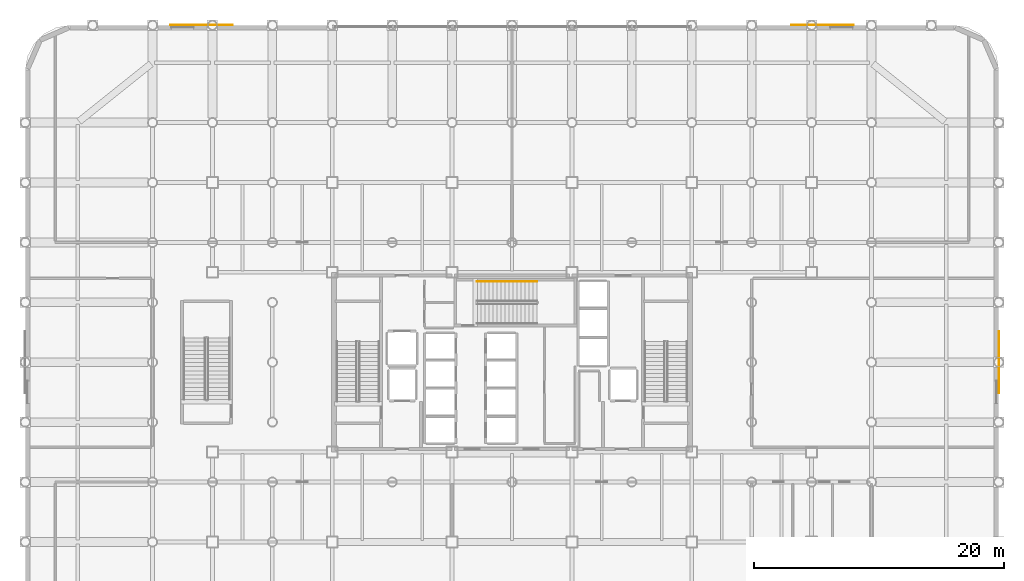
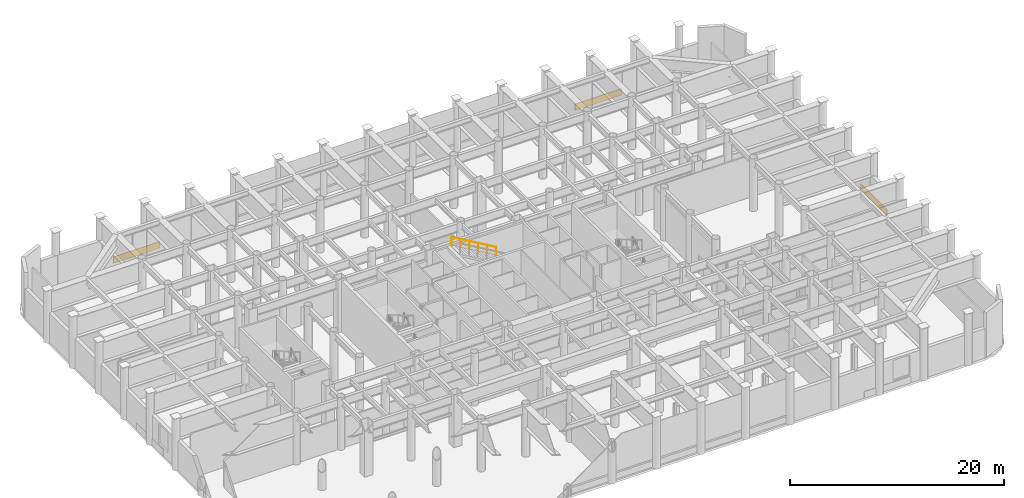
# One storey, part 26 of 26: 3 coverings, 1 railing.
"""IFC4 building model written with IfcOpenShell, lengths in metres."""

from ifc_helpers import new_model, si_unit, direction, frame, origin, origin_2d, place, context, subcontext, project, spatial, rectangle, circle, extrude, material, layer, layer_set, type_object, element, save


model = new_model("IFC4")

# Units and contexts
model_context = context("Model", 3, precision=1e-05, world=origin(), true_north=direction((0.0, 1.0)))
body_context = subcontext(model_context, "Body", "Model", "MODEL_VIEW")
ifc_project = project(units=[si_unit("LENGTHUNIT", "METRE"), si_unit("AREAUNIT", "SQUARE_METRE"), si_unit("VOLUMEUNIT", "CUBIC_METRE"), si_unit("PLANEANGLEUNIT", "RADIAN"), si_unit("MASSUNIT", "GRAM", prefix="KILO")], contexts=[model_context])

# Site, building, storey
site_placement = place(None, origin())
site = spatial("IfcSite", under=ifc_project, at=site_placement, CompositionType="ELEMENT")
building_placement = place(site_placement, origin())
building = spatial("IfcBuilding", under=site, at=building_placement, Name="Kallvorn Hotel Tower", CompositionType="ELEMENT")
storey_placement = place(building_placement, frame((0.0, 0.0, 6.0)))
storey = spatial("IfcBuildingStorey", under=building, at=storey_placement, Name="L01", CompositionType="ELEMENT", Elevation=6.0)

# Coverings
ifc_material_1 = material(Name="Precast basalt-clad insulated concrete wall C40/50", Category="masonry")
ifc_layer_1 = layer(ifc_material_1, 0.050048828125)
ifc_layer_set_1 = layer_set([ifc_layer_1], Name="COV_CLADDING_STONE")
covering_type = type_object("IfcCoveringType", Name="COV_CLADDING_STONE", PredefinedType="CLADDING", material=ifc_layer_set_1)
for number, where, z_axis, x_axis, name in (
    (1, (-24.875, 27.030029296875, 0.02490234375), (0.0, 0.0, 1.0), (1.0, 0.0, 0.0), "L01 Basalt Spandrel Cladding EW-L01-NW"),
    (2, (24.875, 27.030029296875, 0.02490234375), (0.0, 0.0, 1.0), (1.0, 0.0, 0.0), "L01 Basalt Spandrel Cladding EW-L01-NE"),
    (3, (39.030029296875, 0.0, 0.02490234375), (0.0, 0.0, 1.0), (0.0, 1.0, 0.0), "L01 Basalt Spandrel Cladding EW-L01-E"),
):
    element("IfcCovering", number, at=place(storey_placement, frame(where, z_axis=z_axis, x_axis=x_axis)), inside=storey, type_object=covering_type, Name=name, PredefinedType="CLADDING", context=body_context, shape_type="SweptSolid", body=[
        extrude(rectangle(XDim=5.0, YDim=0.050048828125, at=origin_2d()), origin(), (0.0, 0.0, 1.0), 0.75),
    ])

# Railing
ifc_material_2 = material(Name="Brushed stainless-steel tubular railing", Category="steel")
ifc_layer_2 = layer(ifc_material_2, 0.050048828125)
ifc_layer_set_2 = layer_set([ifc_layer_2], Name="RL_STAIR_HAND")
railing_type = type_object("IfcRailingType", Name="RL_STAIR_HAND", PredefinedType="HANDRAIL", material=ifc_layer_set_2)
railing_placement = place(storey_placement, frame((2.010009765625, 6.4599609375, 3.1875)))
element("IfcRailing", 4, at=railing_placement, inside=storey, type_object=railing_type, Name="L01 ST3 stair handrail 2", PredefinedType="HANDRAIL", context=body_context, shape_type="SweptSolid", body=[
    extrude(circle(Radius=0.02392578125, at=origin_2d()), frame((0.0, 0.0, 0.8759765625), z_axis=(-0.862801603449, 0.0, 0.505542671875), x_axis=(0.0, -1.0, 0.0)), (0.0, 0.0, 1.0), 5.563232421875),
    extrude(circle(Radius=0.02099609375, at=origin_2d()), origin(), (0.0, 0.0, 1.0), 0.851806640625),
    extrude(circle(Radius=0.02099609375, at=origin_2d()), frame((-0.9599609375, 0.0, 0.5625)), (0.0, 0.0, 1.0), 0.851806640625),
    extrude(circle(Radius=0.02099609375, at=origin_2d()), frame((-1.919921875, 0.0, 1.125)), (0.0, 0.0, 1.0), 0.851806640625),
    extrude(circle(Radius=0.02099609375, at=origin_2d()), frame((-2.880126953125, 0.0, 1.6875)), (0.0, 0.0, 1.0), 0.851806640625),
    extrude(circle(Radius=0.02099609375, at=origin_2d()), frame((-3.840087890625, 0.0, 2.25)), (0.0, 0.0, 1.0), 0.851806640625),
    extrude(circle(Radius=0.02099609375, at=origin_2d()), frame((-4.800048828125, 0.0, 2.8125)), (0.0, 0.0, 1.0), 0.851806640625),
])

save(model, "model.ifc")
